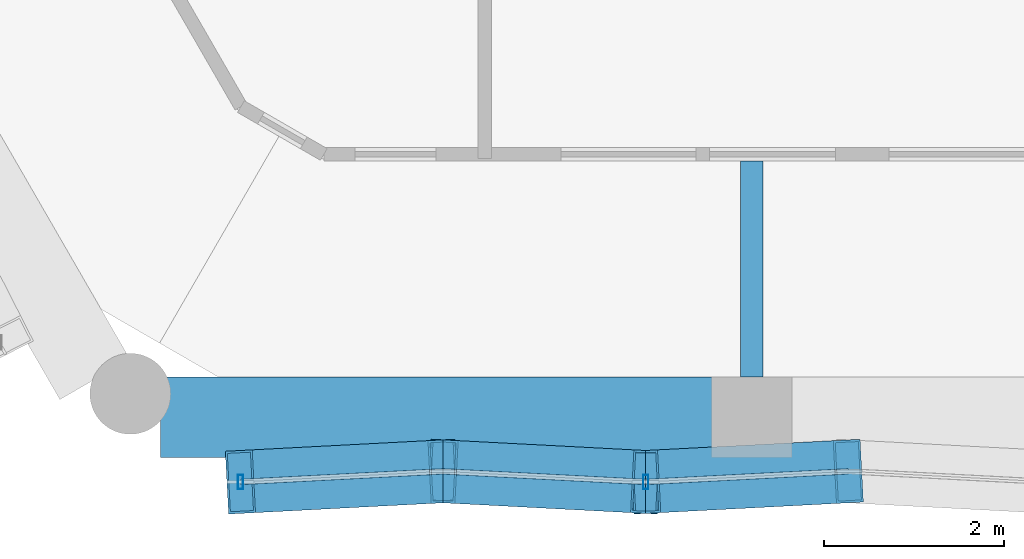
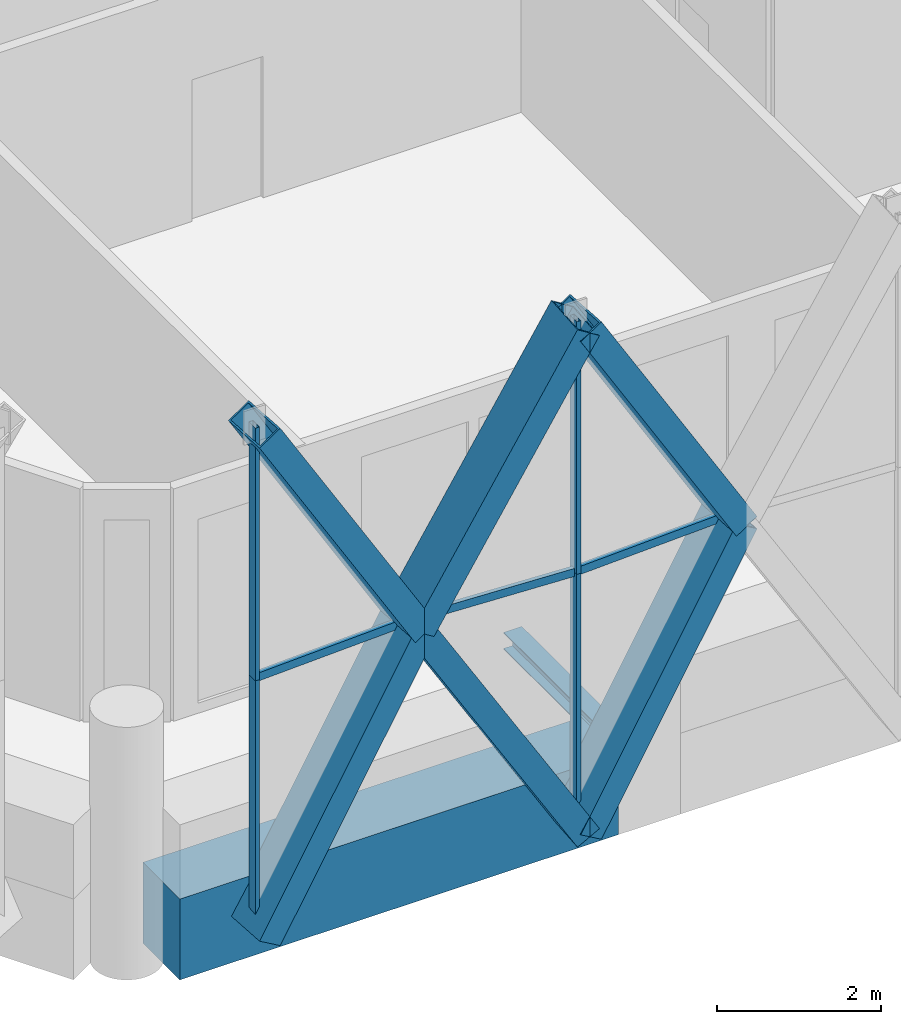
# One storey, part 3 of 27: 13 members, 2 beams, 2 elements without a shape of their own.
"""IFC4 building model written with IfcOpenShell, lengths in metres."""

from ifc_helpers import new_model, si_unit, direction, frame, origin, origin_2d, place, context, subcontext, project, spatial, rectangle, hollow_rectangle, i_section, extrude, material, material_profile, profile_set, type_object, element, aggregate, save


model = new_model("IFC4")

# Units and contexts
model_context = context("Model", 3, precision=1e-05, world=origin(), true_north=direction((0.0, 1.0)))
body_context = subcontext(model_context, "Body", "Model", "MODEL_VIEW")
ifc_project = project(units=[si_unit("LENGTHUNIT", "METRE"), si_unit("AREAUNIT", "SQUARE_METRE"), si_unit("VOLUMEUNIT", "CUBIC_METRE"), si_unit("PLANEANGLEUNIT", "RADIAN"), si_unit("MASSUNIT", "GRAM", prefix="KILO")], contexts=[model_context])

# Site, building, storey
site_placement = place(None, origin())
site = spatial("IfcSite", under=ifc_project, at=site_placement, CompositionType="ELEMENT")
building_placement = place(site_placement, origin())
building = spatial("IfcBuilding", under=site, at=building_placement, Name="Ostrander Bayou Hotel Tower", CompositionType="ELEMENT")
storey_placement = place(building_placement, frame((0.0, 0.0, 267.5)))
storey = spatial("IfcBuildingStorey", under=building, at=storey_placement, Name="L66", CompositionType="ELEMENT", Elevation=267.5)

# Curtain wall, members
ifc_material_1 = material(Name="Aluminium and clear glass", Category="aluminium")
curtain_wall_type = type_object("IfcCurtainWallType", Name="CW-LAT lattice glazing", PredefinedType="NOTDEFINED", material=ifc_material_1)
curtain_wall_1_placement = place(storey_placement, origin())
curtain_wall_1 = element("IfcCurtainWall", 1, at=curtain_wall_1_placement, inside=storey, type_object=curtain_wall_type, Name="CW-LAT L66 S 1", PredefinedType="NOTDEFINED")
ifc_material_2 = material(Name="Aluminium", Category="aluminium")
ifc_material_profile_1 = material_profile(ifc_material_2, hollow_rectangle(XDim=0.06005859375, YDim=0.159912109375, WallThickness=0.00390625, at=origin_2d()))
ifc_profile_set_1 = profile_set([ifc_material_profile_1], Name="Aluminium")
member_type_1 = type_object("IfcMemberType", Name="CW-LA mullion 60 x 160 mm", PredefinedType="MULLION", material=ifc_profile_set_1)
member_1_placement = place(storey_placement, frame((-9.020263671875, -16.41357421875, -0.60009765625), z_axis=(0.0, 0.0, 1.0), x_axis=(1.0, 0.0, 0.0)))
member_1 = element("IfcMember", 2, at=member_1_placement, type_object=member_type_1, Name="CW-LAT mullion 1", PredefinedType="MULLION", context=body_context, shape_type="SweptSolid", body=[
    extrude(hollow_rectangle(XDim=0.06005859375, YDim=0.159912109375, WallThickness=0.00390625, at=origin_2d()), origin(), (0.0, 0.0, 1.0), 3.75),
])
member_2_placement = place(storey_placement, frame((-9.020263671875, -16.41357421875, 3.14990234375), z_axis=(0.0, 0.0, 1.0), x_axis=(1.0, 0.0, 0.0)))
member_2 = element("IfcMember", 3, at=member_2_placement, type_object=member_type_1, Name="CW-LAT mullion 2", PredefinedType="MULLION", context=body_context, shape_type="SweptSolid", body=[
    extrude(hollow_rectangle(XDim=0.06005859375, YDim=0.159912109375, WallThickness=0.00390625, at=origin_2d()), origin(), (0.0, 0.0, 1.0), 3.75),
])
member_3_placement = place(storey_placement, frame((-4.510009765625, -16.41357421875, -0.60009765625), z_axis=(0.0, 0.0, 1.0), x_axis=(1.0, 0.0, 0.0)))
member_3 = element("IfcMember", 4, at=member_3_placement, type_object=member_type_1, Name="CW-LAT mullion 4", PredefinedType="MULLION", context=body_context, shape_type="SweptSolid", body=[
    extrude(hollow_rectangle(XDim=0.06005859375, YDim=0.159912109375, WallThickness=0.00390625, at=origin_2d()), origin(), (0.0, 0.0, 1.0), 3.75),
])
member_4_placement = place(storey_placement, frame((-4.510009765625, -16.41357421875, 3.14990234375), z_axis=(0.0, 0.0, 1.0), x_axis=(1.0, 0.0, 0.0)))
member_4 = element("IfcMember", 5, at=member_4_placement, type_object=member_type_1, Name="CW-LAT mullion 5", PredefinedType="MULLION", context=body_context, shape_type="SweptSolid", body=[
    extrude(hollow_rectangle(XDim=0.06005859375, YDim=0.159912109375, WallThickness=0.00390625, at=origin_2d()), origin(), (0.0, 0.0, 1.0), 3.75),
])
aggregate(curtain_wall_1, [member_1, member_2, member_3, member_4])

curtain_wall_2_placement = place(storey_placement, origin())
curtain_wall_2 = element("IfcCurtainWall", 6, at=curtain_wall_2_placement, inside=storey, type_object=curtain_wall_type, Name="CW-LAT L66 S 2", PredefinedType="NOTDEFINED")
ifc_material_3 = material(Name="Aluminium", Category="aluminium")
ifc_material_profile_2 = material_profile(ifc_material_3, hollow_rectangle(XDim=0.06005859375, YDim=0.1201171875, WallThickness=0.00390625, at=origin_2d()))
ifc_profile_set_2 = profile_set([ifc_material_profile_2], Name="Aluminium")
member_type_2 = type_object("IfcMemberType", Name="CW-LA transom 60 x 120 mm", PredefinedType="USERDEFINED", material=ifc_profile_set_2)
member_5_placement = place(storey_placement, frame((-9.020263671875, -16.41357421875, 3.14990234375), z_axis=(0.998630046955, 0.052326181956, 0.0), x_axis=(-0.052326181956, 0.998630046955, 0.0)))
member_5 = element("IfcMember", 7, at=member_5_placement, type_object=member_type_2, Name="CW-LAT transom 3", ObjectType="TRANSOM", PredefinedType="USERDEFINED", context=body_context, shape_type="SweptSolid", body=[
    extrude(hollow_rectangle(XDim=0.06005859375, YDim=0.1201171875, WallThickness=0.00390625, at=origin_2d()), origin(), (0.0, 0.0, 1.0), 2.25830078125),
])
member_6_placement = place(storey_placement, frame((-4.510009765625, -16.41357421875, 3.14990234375), z_axis=(-0.998630046955, 0.052326181956, 0.0), x_axis=(-0.052326181956, -0.998630046955, 0.0)))
member_6 = element("IfcMember", 8, at=member_6_placement, type_object=member_type_2, Name="CW-LAT transom 6", ObjectType="TRANSOM", PredefinedType="USERDEFINED", context=body_context, shape_type="SweptSolid", body=[
    extrude(hollow_rectangle(XDim=0.06005859375, YDim=0.1201171875, WallThickness=0.00390625, at=origin_2d()), origin(), (0.0, 0.0, 1.0), 2.25830078125),
])
member_7_placement = place(storey_placement, frame((-4.510009765625, -16.41357421875, 3.14990234375), z_axis=(0.998629750894, 0.0523318319, 0.0), x_axis=(-0.0523318319, 0.998629750894, 0.0)))
member_7 = element("IfcMember", 9, at=member_7_placement, type_object=member_type_2, Name="CW-LAT transom 7", ObjectType="TRANSOM", PredefinedType="USERDEFINED", context=body_context, shape_type="SweptSolid", body=[
    extrude(hollow_rectangle(XDim=0.06005859375, YDim=0.1201171875, WallThickness=0.00390625, at=origin_2d()), origin(), (0.0, 0.0, 1.0), 2.258056640625),
])
aggregate(curtain_wall_2, [member_5, member_6, member_7])

# Beam
ifc_material_4 = material(Name="Steel ASTM A992", Category="steel")
ifc_material_profile_3 = material_profile(ifc_material_4, i_section(OverallWidth=0.25390625, OverallDepth=0.25341796875, WebThickness=0.008544921875, FlangeThickness=0.01416015625, at=origin_2d()))
ifc_profile_set_3 = profile_set([ifc_material_profile_3], Name="Steel ASTM A992")
beam_type_1 = type_object("IfcBeamType", Name="LB2 loggia bracket W10x49", PredefinedType="BEAM", material=ifc_profile_set_3)
beam_1_placement = place(storey_placement, frame((-3.329345703125, -15.243408203125, -0.4267578125), z_axis=(0.0, 1.0, 0.0), x_axis=(-1.0, 0.0, 0.0)))
element("IfcBeam", 10, at=beam_1_placement, inside=storey, type_object=beam_type_1, Name="LB2 L66 S1", PredefinedType="BEAM", context=body_context, shape_type="SweptSolid", body=[
    extrude(i_section(OverallWidth=0.25390625, OverallDepth=0.25341796875, WebThickness=0.008544921875, FlangeThickness=0.01416015625, at=origin_2d()), origin(), (0.0, 0.0, 1.0), 2.39990234375),
])

# Members
ifc_material_5 = material(Name="Steel ASTM A572 Gr 50", Category="steel")
ifc_material_profile_4 = material_profile(ifc_material_5, hollow_rectangle(XDim=0.699951171875, YDim=0.35009765625, WallThickness=0.02490234375, at=origin_2d()))
ifc_profile_set_4 = profile_set([ifc_material_profile_4], Name="Steel ASTM A572 Gr 50")
member_type_3 = type_object("IfcMemberType", Name="LT1 lattice member box 700 x 350 x 25 mm", PredefinedType="BRACE", material=ifc_profile_set_4)
for number, where, z_axis, x_axis, name in (
    (11, (-6.76513671875, -16.29541015625, 3.14990234375), (-0.51516920458, -0.0269938178, -0.856663308688), (0.052326181956, -0.998630046955, 0.0), "LT1 L66 S 1"),
    (12, (-6.76513671875, -16.29541015625, 3.14990234375), (-0.51516920458, -0.0269938178, 0.856663308688), (0.052326181956, -0.998630046955, 0.0), "LT1 L66 S 2"),
    (13, (-6.76513671875, -16.29541015625, 3.14990234375), (0.51516920458, -0.0269938178, -0.856663308688), (0.052326181956, 0.998630046955, 0.0), "LT1 L66 S 3"),
    (14, (-6.76513671875, -16.29541015625, 3.14990234375), (0.51516920458, -0.0269938178, 0.856663308688), (0.052326181956, 0.998630046955, 0.0), "LT1 L66 S 4"),
    (15, (-2.255126953125, -16.29541015625, 3.14990234375), (-0.515128232407, -0.026994593383, -0.856687922236), (0.0523318319, -0.998629750894, 0.0), "LT1 L66 S 5"),
    (16, (-2.255126953125, -16.29541015625, 3.14990234375), (-0.515128232407, -0.026994593383, 0.856687922236), (0.0523318319, -0.998629750894, 0.0), "LT1 L66 S 6"),
):
    element("IfcMember", number, at=place(storey_placement, frame(where, z_axis=z_axis, x_axis=x_axis)), inside=storey, type_object=member_type_3, Name=name, PredefinedType="BRACE", context=body_context, shape_type="SweptSolid", body=[
        extrude(hollow_rectangle(XDim=0.699951171875, YDim=0.35009765625, WallThickness=0.02490234375, at=origin_2d()), origin(), (0.0, 0.0, 1.0), 4.37744140625),
    ])

# Beam
ifc_material_6 = material(Name="Concrete f'c 60 MPa", Category="concrete")
ifc_material_profile_5 = material_profile(ifc_material_6, rectangle(XDim=0.89990234375, YDim=1.199951171875, at=origin_2d()))
ifc_profile_set_5 = profile_set([ifc_material_profile_5], Name="Concrete f'c 60 MPa")
beam_type_2 = type_object("IfcBeamType", Name="SP4 spandrel beam 900 x 1200 mm f'c 60 MPa", PredefinedType="SPANDREL", material=ifc_profile_set_5)
beam_2_placement = place(storey_placement, frame((-9.90869140625, -15.693603515625, -0.60009765625), z_axis=(1.0, 0.0, 0.0), x_axis=(0.0, 1.0, 0.0)))
element("IfcBeam", 17, at=beam_2_placement, inside=storey, type_object=beam_type_2, Name="SP4 L66 S-1", PredefinedType="SPANDREL", context=body_context, shape_type="SweptSolid", body=[
    extrude(rectangle(XDim=0.89990234375, YDim=1.199951171875, at=origin_2d()), origin(), (0.0, 0.0, 1.0), 6.1591796875),
])

save(model, "model.ifc")
